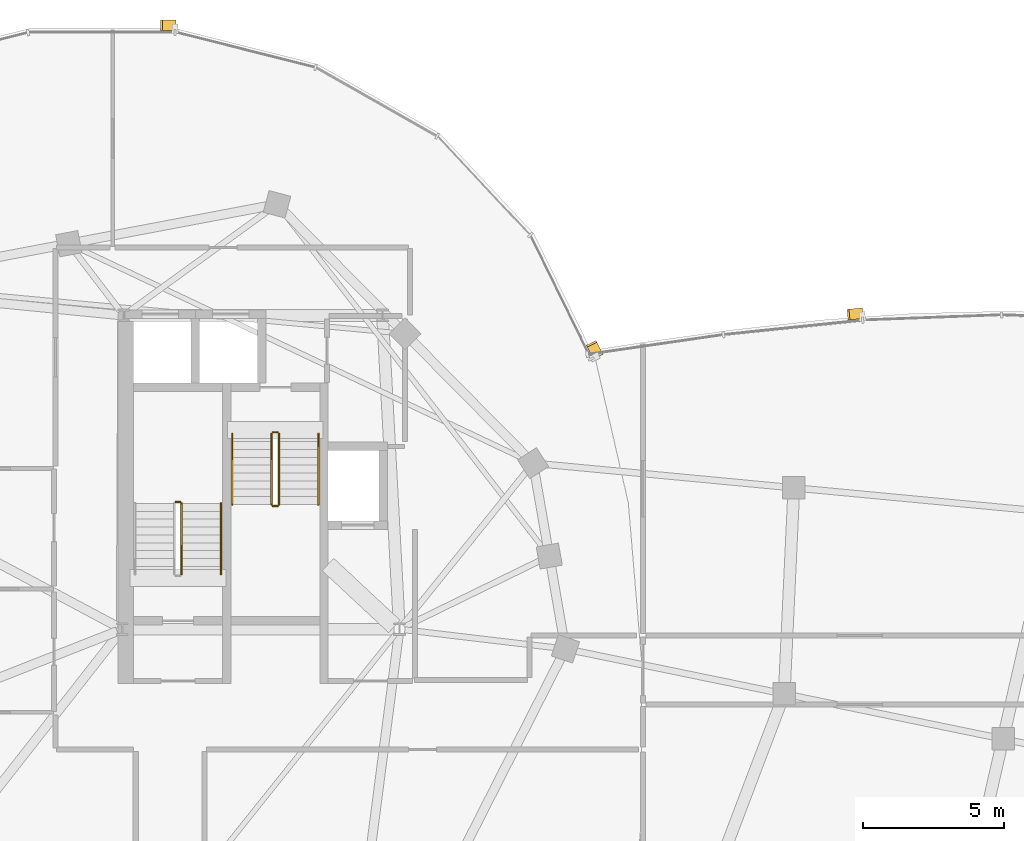
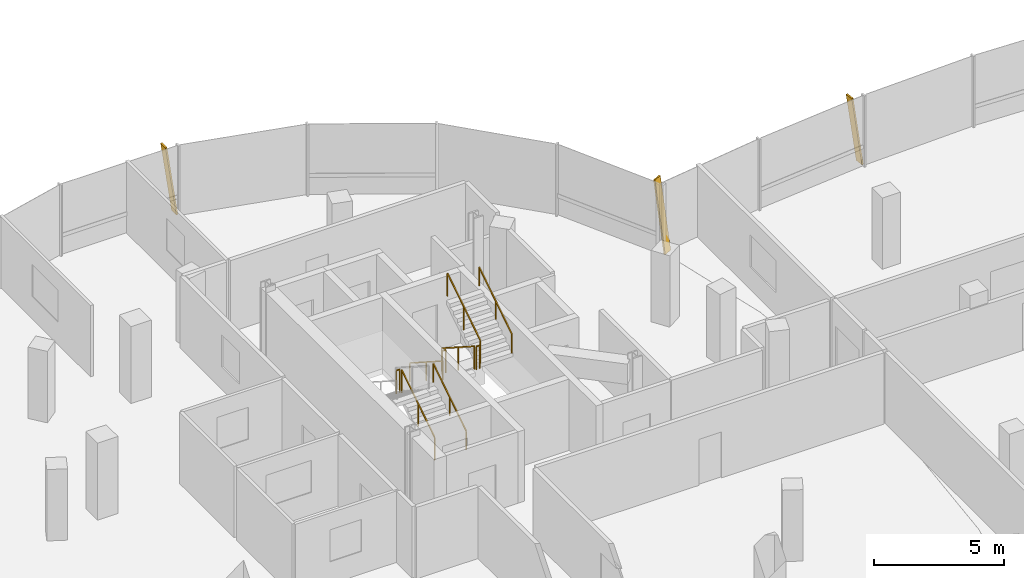
# One storey, part 23 of 25: 9 railings, 3 shading devices.
"""IFC4 building model written with IfcOpenShell, lengths in metres."""

from ifc_helpers import new_model, si_unit, direction, frame, origin, origin_2d, place, context, subcontext, project, spatial, rectangle, extrude, material, material_profile, profile_set, type_object, element, save


model = new_model("IFC4")

# Units and contexts
model_context = context("Model", 3, precision=1e-05, world=origin(), true_north=direction((0.0, 1.0)))
body_context = subcontext(model_context, "Body", "Model", "MODEL_VIEW")
ifc_project = project(units=[si_unit("LENGTHUNIT", "METRE"), si_unit("AREAUNIT", "SQUARE_METRE"), si_unit("VOLUMEUNIT", "CUBIC_METRE"), si_unit("PLANEANGLEUNIT", "RADIAN"), si_unit("MASSUNIT", "GRAM", prefix="KILO"), si_unit("THERMODYNAMICTEMPERATUREUNIT", "KELVIN"), si_unit("POWERUNIT", "WATT")], contexts=[model_context])

# Site, building, storey
site_placement = place(None, origin())
site = spatial("IfcSite", under=ifc_project, at=site_placement, CompositionType="ELEMENT")
building_placement = place(site_placement, origin())
building = spatial("IfcBuilding", under=site, at=building_placement, Name="Cundina Bronze Exchange", CompositionType="ELEMENT")
storey_placement = place(building_placement, frame((0.0, 0.0, 272.0)))
storey = spatial("IfcBuildingStorey", under=building, at=storey_placement, Name="L72", CompositionType="ELEMENT", Elevation=272.0)

# Railings
ifc_material_1 = material(Name="Steel ASTM A36 Painted", Category="steel")
railing_type_1 = type_object("IfcRailingType", Name="RLG-HND-900", PredefinedType="HANDRAIL", material=ifc_material_1)
railing_1_placement = place(storey_placement, frame((-27.7900390625, 5.85009765625, 0.179931640625)))
element("IfcRailing", 1, at=railing_1_placement, inside=storey, type_object=railing_type_1, Name="L72 ST-W1 stair handrail 1", PredefinedType="HANDRAIL", context=body_context, shape_type="SweptSolid", body=[
    extrude(rectangle(XDim=0.048095703125, YDim=0.048095703125, at=origin_2d()), frame((0.0, 0.0, 0.8759765625), z_axis=(0.0, 0.841162588446, 0.540782303519), x_axis=(-1.0, 0.0, 0.0)), (0.0, 0.0, 1.0), 2.995849609375),
    extrude(rectangle(XDim=0.0419921875, YDim=0.0419921875, at=origin_2d()), origin(), (0.0, 0.0, 1.0), 0.851806640625),
    extrude(rectangle(XDim=0.0419921875, YDim=0.0419921875, at=origin_2d()), frame((0.0, 1.260009765625, 0.81005859375)), (0.0, 0.0, 1.0), 0.851806640625),
    extrude(rectangle(XDim=0.0419921875, YDim=0.0419921875, at=origin_2d()), frame((0.0, 2.52001953125, 1.6201171875)), (0.0, 0.0, 1.0), 0.851806640625),
])
railing_2_placement = place(storey_placement, frame((-27.389892578125, 10.85009765625, 0.179931640625)))
element("IfcRailing", 2, at=railing_2_placement, inside=storey, type_object=railing_type_1, Name="L72 ST-W2 stair handrail 1", PredefinedType="HANDRAIL", context=body_context, shape_type="SweptSolid", body=[
    extrude(rectangle(XDim=0.048095703125, YDim=0.048095703125, at=origin_2d()), frame((0.0, 0.0, 0.8759765625), z_axis=(0.0, -0.841162588446, 0.540782303519), x_axis=(1.0, 0.0, 0.0)), (0.0, 0.0, 1.0), 2.995849609375),
    extrude(rectangle(XDim=0.0419921875, YDim=0.0419921875, at=origin_2d()), origin(), (0.0, 0.0, 1.0), 0.851806640625),
    extrude(rectangle(XDim=0.0419921875, YDim=0.0419921875, at=origin_2d()), frame((0.0, -1.260009765625, 0.81005859375)), (0.0, 0.0, 1.0), 0.851806640625),
    extrude(rectangle(XDim=0.0419921875, YDim=0.0419921875, at=origin_2d()), frame((0.0, -2.52001953125, 1.6201171875)), (0.0, 0.0, 1.0), 0.851806640625),
])
railing_3_placement = place(storey_placement, frame((-24.330078125, 8.330078125, 1.97998046875)))
element("IfcRailing", 3, at=railing_3_placement, inside=storey, type_object=railing_type_1, Name="L72 ST-W2 stair handrail 2", PredefinedType="HANDRAIL", context=body_context, shape_type="SweptSolid", body=[
    extrude(rectangle(XDim=0.048095703125, YDim=0.048095703125, at=origin_2d()), frame((0.0, 0.0, 0.8759765625), z_axis=(0.0, 0.841162588446, 0.540782303519), x_axis=(-1.0, 0.0, 0.0)), (0.0, 0.0, 1.0), 2.995849609375),
    extrude(rectangle(XDim=0.0419921875, YDim=0.0419921875, at=origin_2d()), origin(), (0.0, 0.0, 1.0), 0.851806640625),
    extrude(rectangle(XDim=0.0419921875, YDim=0.0419921875, at=origin_2d()), frame((0.0, 1.260009765625, 0.81005859375)), (0.0, 0.0, 1.0), 0.851806640625),
    extrude(rectangle(XDim=0.0419921875, YDim=0.0419921875, at=origin_2d()), frame((0.0, 2.52001953125, 1.6201171875)), (0.0, 0.0, 1.0), 0.851806640625),
])
railing_type_2 = type_object("IfcRailingType", Name="RLG-STG-1100", PredefinedType="GUARDRAIL", material=ifc_material_1)
railing_4_placement = place(storey_placement, frame((-29.18994140625, 5.85009765625, 0.179931640625)))
element("IfcRailing", 4, at=railing_4_placement, inside=storey, type_object=railing_type_2, Name="L72 ST-W1 stair guard 1", PredefinedType="GUARDRAIL", context=body_context, shape_type="SweptSolid", body=[
    extrude(rectangle(XDim=0.048095703125, YDim=0.048095703125, at=origin_2d()), frame((0.0, 0.0, 1.076171875), z_axis=(0.0, 0.841162588446, 0.540782303519), x_axis=(-1.0, 0.0, 0.0)), (0.0, 0.0, 1.0), 2.995849609375),
    extrude(rectangle(XDim=0.0419921875, YDim=0.0419921875, at=origin_2d()), origin(), (0.0, 0.0, 1.0), 1.052001953125),
    extrude(rectangle(XDim=0.0419921875, YDim=0.0419921875, at=origin_2d()), frame((0.0, 1.260009765625, 0.81005859375)), (0.0, 0.0, 1.0), 1.052001953125),
    extrude(rectangle(XDim=0.0419921875, YDim=0.0419921875, at=origin_2d()), frame((0.0, 2.52001953125, 1.6201171875)), (0.0, 0.0, 1.0), 1.052001953125),
])
railing_5_placement = place(storey_placement, frame((-29.239990234375, 8.419921875, 1.800048828125)))
element("IfcRailing", 5, at=railing_5_placement, inside=storey, type_object=railing_type_2, Name="L72 ST-W1 stair guard 2", PredefinedType="GUARDRAIL", context=body_context, shape_type="SweptSolid", body=[
    extrude(rectangle(XDim=0.048095703125, YDim=0.048095703125, at=origin_2d()), frame((0.0, 0.0, 1.076171875), z_axis=(-1.0, 0.0, 0.0), x_axis=(0.0, -1.0, 0.0)), (0.0, 0.0, 1.0), 0.159912109375),
    extrude(rectangle(XDim=0.0419921875, YDim=0.0419921875, at=origin_2d()), origin(), (0.0, 0.0, 1.0), 1.052001953125),
    extrude(rectangle(XDim=0.0419921875, YDim=0.0419921875, at=origin_2d()), frame((-0.159912109375, 0.0, 0.0)), (0.0, 0.0, 1.0), 1.052001953125),
])
railing_6_placement = place(storey_placement, frame((-25.989990234375, 10.85009765625, 0.179931640625)))
element("IfcRailing", 6, at=railing_6_placement, inside=storey, type_object=railing_type_2, Name="L72 ST-W2 stair guard 1", PredefinedType="GUARDRAIL", context=body_context, shape_type="SweptSolid", body=[
    extrude(rectangle(XDim=0.048095703125, YDim=0.048095703125, at=origin_2d()), frame((0.0, 0.0, 1.076171875), z_axis=(0.0, -0.841162588446, 0.540782303519), x_axis=(1.0, 0.0, 0.0)), (0.0, 0.0, 1.0), 2.995849609375),
    extrude(rectangle(XDim=0.0419921875, YDim=0.0419921875, at=origin_2d()), origin(), (0.0, 0.0, 1.0), 1.052001953125),
    extrude(rectangle(XDim=0.0419921875, YDim=0.0419921875, at=origin_2d()), frame((0.0, -1.260009765625, 0.81005859375)), (0.0, 0.0, 1.0), 1.052001953125),
    extrude(rectangle(XDim=0.0419921875, YDim=0.0419921875, at=origin_2d()), frame((0.0, -2.52001953125, 1.6201171875)), (0.0, 0.0, 1.0), 1.052001953125),
])
railing_7_placement = place(storey_placement, frame((-25.93994140625, 8.280029296875, 1.800048828125)))
element("IfcRailing", 7, at=railing_7_placement, inside=storey, type_object=railing_type_2, Name="L72 ST-W2 stair guard 2", PredefinedType="GUARDRAIL", context=body_context, shape_type="SweptSolid", body=[
    extrude(rectangle(XDim=0.048095703125, YDim=0.048095703125, at=origin_2d()), frame((0.0, 0.0, 1.076171875), z_axis=(1.0, 0.0, 0.0), x_axis=(0.0, 1.0, 0.0)), (0.0, 0.0, 1.0), 0.159912109375),
    extrude(rectangle(XDim=0.0419921875, YDim=0.0419921875, at=origin_2d()), origin(), (0.0, 0.0, 1.0), 1.052001953125),
    extrude(rectangle(XDim=0.0419921875, YDim=0.0419921875, at=origin_2d()), frame((0.159912109375, 0.0, 0.0)), (0.0, 0.0, 1.0), 1.052001953125),
])
railing_8_placement = place(storey_placement, frame((-25.72998046875, 8.330078125, 1.97998046875)))
element("IfcRailing", 8, at=railing_8_placement, inside=storey, type_object=railing_type_2, Name="L72 ST-W2 stair guard 3", PredefinedType="GUARDRAIL", context=body_context, shape_type="SweptSolid", body=[
    extrude(rectangle(XDim=0.048095703125, YDim=0.048095703125, at=origin_2d()), frame((0.0, 0.0, 1.076171875), z_axis=(0.0, 0.841162588446, 0.540782303519), x_axis=(-1.0, 0.0, 0.0)), (0.0, 0.0, 1.0), 2.995849609375),
    extrude(rectangle(XDim=0.0419921875, YDim=0.0419921875, at=origin_2d()), origin(), (0.0, 0.0, 1.0), 1.052001953125),
    extrude(rectangle(XDim=0.0419921875, YDim=0.0419921875, at=origin_2d()), frame((0.0, 1.260009765625, 0.81005859375)), (0.0, 0.0, 1.0), 1.052001953125),
    extrude(rectangle(XDim=0.0419921875, YDim=0.0419921875, at=origin_2d()), frame((0.0, 2.52001953125, 1.6201171875)), (0.0, 0.0, 1.0), 1.052001953125),
])
railing_9_placement = place(storey_placement, frame((-25.93994140625, 10.89990234375, 0.0)))
element("IfcRailing", 9, at=railing_9_placement, inside=storey, type_object=railing_type_2, Name="L72 ST-W2 stair guard 4", PredefinedType="GUARDRAIL", context=body_context, shape_type="SweptSolid", body=[
    extrude(rectangle(XDim=0.048095703125, YDim=0.048095703125, at=origin_2d()), frame((0.0, 0.0, 1.076171875), z_axis=(1.0, 0.0, 0.0), x_axis=(0.0, 1.0, 0.0)), (0.0, 0.0, 1.0), 0.159912109375),
    extrude(rectangle(XDim=0.0419921875, YDim=0.0419921875, at=origin_2d()), origin(), (0.0, 0.0, 1.0), 1.052001953125),
    extrude(rectangle(XDim=0.0419921875, YDim=0.0419921875, at=origin_2d()), frame((0.159912109375, 0.0, 0.0)), (0.0, 0.0, 1.0), 1.052001953125),
])

# Shading devices
ifc_material_2 = material(Name="Anodised Bronze Aluminium 6063-T6", Category="aluminium")
ifc_material_profile = material_profile(ifc_material_2, rectangle(XDim=0.070068359375, YDim=0.3798828125, at=origin_2d()), Name="FIN70X380", Category="aluminium")
ifc_profile_set = profile_set([ifc_material_profile], Name="Anodised Bronze Aluminium 6063-T6")
shading_device_type = type_object("IfcShadingDeviceType", Name="SHD-FIN-BRZ380", PredefinedType="USERDEFINED", material=ifc_profile_set)
for number, where, z_axis, x_axis, name in (
    (10, (-14.406494140625, 13.614013671875, 0.02001953125), (-0.063400368732, 0.129216686851, 0.989587510574), (0.435900311632, -0.888411143223, 0.143932480407), "L72 Diagonal Bronze Solar Fin 1"),
    (11, (-29.423583984375, 25.360107421875, 0.02001953125), (-0.143932024572, 0.0, 0.989587576874), (0.989587576874, 0.0, 0.143932024572), "L72 Diagonal Bronze Solar Fin 5"),
):
    element("IfcShadingDevice", number, at=place(storey_placement, frame(where, z_axis=z_axis, x_axis=x_axis)), inside=storey, type_object=shading_device_type, Name=name, ObjectType="FIN", PredefinedType="USERDEFINED", context=body_context, shape_type="SweptSolid", body=[
        extrude(rectangle(XDim=0.070068359375, YDim=0.3798828125, at=origin_2d()), origin(), (0.0, 0.0, 1.0), 3.334716796875),
    ])
shading_device_placement = place(storey_placement, frame((-5.0146484375, 15.12890625, 0.02001953125), z_axis=(-0.143554002446, -0.014832689767, 0.989531323252), x_axis=(0.984291118391, 0.101701691005, 0.144318260466)))
element("IfcShadingDevice", 12, at=shading_device_placement, inside=storey, type_object=shading_device_type, Name="L72 Diagonal Bronze Solar Fin 5", ObjectType="FIN", PredefinedType="USERDEFINED", context=body_context, shape_type="SweptSolid", body=[
    extrude(rectangle(XDim=0.070068359375, YDim=0.3798828125, at=origin_2d()), origin(), (0.0, 0.0, 1.0), 3.324951171875),
])

save(model, "model.ifc")
